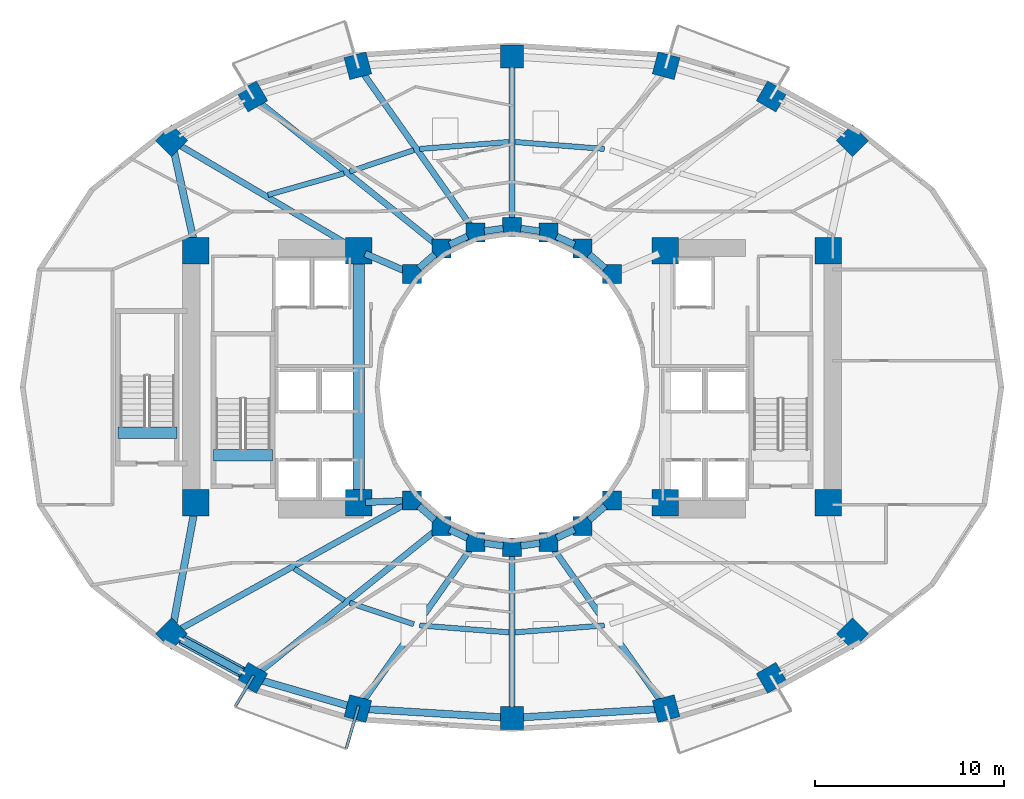
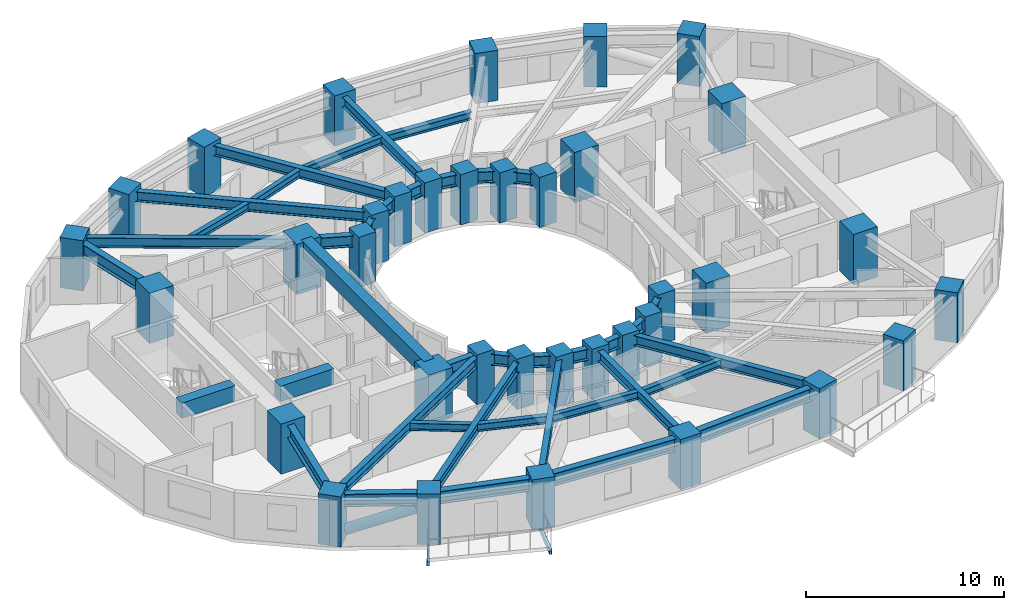
# One storey, part 1 of 11: 42 beams, 36 columns, 1 member.
"""IFC4 building model written with IfcOpenShell, lengths in metres."""

from ifc_helpers import new_model, si_unit, direction, frame, origin, origin_2d, place, context, subcontext, project, spatial, rectangle, hollow_rectangle, hollow_circle, i_section, extrude, material, material_profile, profile_set, type_object, element, save


model = new_model("IFC4")

# Units and contexts
model_context = context("Model", 3, precision=1e-05, world=origin(), true_north=direction((0.0, 1.0)))
body_context = subcontext(model_context, "Body", "Model", "MODEL_VIEW")
ifc_project = project(units=[si_unit("LENGTHUNIT", "METRE"), si_unit("AREAUNIT", "SQUARE_METRE"), si_unit("VOLUMEUNIT", "CUBIC_METRE"), si_unit("PLANEANGLEUNIT", "RADIAN"), si_unit("MASSUNIT", "GRAM", prefix="KILO")], contexts=[model_context])

# Site, building, storey
site_placement = place(None, origin())
site = spatial("IfcSite", under=ifc_project, at=site_placement, CompositionType="ELEMENT")
building_placement = place(site_placement, origin())
building = spatial("IfcBuilding", under=site, at=building_placement, Name="Solvane Sanctuary Tower", CompositionType="ELEMENT")
storey_placement = place(building_placement, frame((0.0, 0.0, 49.300048828125)))
storey = spatial("IfcBuildingStorey", under=building, at=storey_placement, Name="L14", CompositionType="ELEMENT", Elevation=49.300048828125)

# Columns
ifc_material_1 = material(Name="Concrete C70/85", Category="concrete")
ifc_material_profile_1 = material_profile(ifc_material_1, rectangle(XDim=1.39990234375, YDim=1.39990234375, at=origin_2d()), Name="RC1400X1400")
ifc_profile_set_1 = profile_set([ifc_material_profile_1], Name="Concrete C70/85")
column_type_1 = type_object("IfcColumnType", Name="Column C-POD-INT RC1400X1400", PredefinedType="COLUMN", material=ifc_profile_set_1)
for number, where, z_axis, x_axis, name in (
    (1, (15.300048828125, 16.89990234375, 0.0), (0.0, 0.0, 1.0), (1.0, 0.0, 0.0), "L14 Core Corner Column CW1"),
    (2, (23.89990234375, 16.89990234375, 0.0), (0.0, 0.0, 1.0), (1.0, 0.0, 0.0), "L14 Core Corner Column CW2"),
    (3, (23.89990234375, 30.199951171875, 0.0), (0.0, 0.0, 1.0), (1.0, 0.0, 0.0), "L14 Core Corner Column CW3"),
    (4, (15.300048828125, 30.199951171875, 0.0), (0.0, 0.0, 1.0), (1.0, 0.0, 0.0), "L14 Core Corner Column CW4"),
    (5, (40.10009765625, 16.89990234375, 0.0), (0.0, 0.0, 1.0), (1.0, 0.0, 0.0), "L14 Core Corner Column CE1"),
    (6, (48.699951171875, 16.89990234375, 0.0), (0.0, 0.0, 1.0), (1.0, 0.0, 0.0), "L14 Core Corner Column CE2"),
    (7, (48.699951171875, 30.199951171875, 0.0), (0.0, 0.0, 1.0), (1.0, 0.0, 0.0), "L14 Core Corner Column CE3"),
    (8, (40.10009765625, 30.199951171875, 0.0), (0.0, 0.0, 1.0), (1.0, 0.0, 0.0), "L14 Core Corner Column CE4"),
):
    element("IfcColumn", number, at=place(storey_placement, frame(where, z_axis=z_axis, x_axis=x_axis)), inside=storey, type_object=column_type_1, Name=name, PredefinedType="COLUMN", context=body_context, shape_type="SweptSolid", body=[
        extrude(rectangle(XDim=1.39990234375, YDim=1.39990234375, at=origin_2d()), origin(), (0.0, 0.0, 1.0), 3.099853515625),
    ])
ifc_material_profile_2 = material_profile(ifc_material_1, rectangle(XDim=1.0, YDim=1.0, at=origin_2d()), Name="RC1000X1000")
ifc_profile_set_2 = profile_set([ifc_material_profile_2], Name="Concrete C70/85")
column_type_2 = type_object("IfcColumnType", Name="Column C-RING-Z1 RC1000X1000", PredefinedType="COLUMN", material=ifc_profile_set_2)
for number, where, z_axis, x_axis, name in (
    (9, (37.27490234375, 28.982177734375, 0.0), (0.0, 0.0, 1.0), (1.0, 0.0, 0.0), "L14 Inner Light-Well Ring Column IC01"),
    (10, (35.72998046875, 30.32666015625, 0.0), (0.0, 0.0, 1.0), (1.0, 0.0, 0.0), "L14 Inner Light-Well Ring Column IC02"),
    (11, (33.930908203125, 31.171630859375, 0.0), (0.0, 0.0, 1.0), (1.0, 0.0, 0.0), "L14 Inner Light-Well Ring Column IC03"),
    (12, (32.0, 31.4599609375, 0.0), (0.0, 0.0, 1.0), (1.0, 0.0, 0.0), "L14 Inner Light-Well Ring Column IC04"),
    (13, (30.069091796875, 31.171630859375, 0.0), (0.0, 0.0, 1.0), (1.0, 0.0, 0.0), "L14 Inner Light-Well Ring Column IC05"),
    (14, (28.27001953125, 30.32666015625, 0.0), (0.0, 0.0, 1.0), (1.0, 0.0, 0.0), "L14 Inner Light-Well Ring Column IC06"),
    (15, (26.72509765625, 28.982177734375, 0.0), (0.0, 0.0, 1.0), (1.0, 0.0, 0.0), "L14 Inner Light-Well Ring Column IC07"),
    (16, (26.72509765625, 17.017822265625, 0.0), (0.0, 0.0, 1.0), (1.0, 0.0, 0.0), "L14 Inner Light-Well Ring Column IC08"),
    (17, (28.27001953125, 15.67333984375, 0.0), (0.0, 0.0, 1.0), (1.0, 0.0, 0.0), "L14 Inner Light-Well Ring Column IC09"),
    (18, (30.069091796875, 14.828369140625, 0.0), (0.0, 0.0, 1.0), (1.0, 0.0, 0.0), "L14 Inner Light-Well Ring Column IC10"),
    (19, (32.0, 14.5400390625, 0.0), (0.0, 0.0, 1.0), (1.0, 0.0, 0.0), "L14 Inner Light-Well Ring Column IC11"),
    (20, (33.930908203125, 14.828369140625, 0.0), (0.0, 0.0, 1.0), (1.0, 0.0, 0.0), "L14 Inner Light-Well Ring Column IC12"),
    (21, (35.72998046875, 15.67333984375, 0.0), (0.0, 0.0, 1.0), (1.0, 0.0, 0.0), "L14 Inner Light-Well Ring Column IC13"),
    (22, (37.27490234375, 17.017822265625, 0.0), (0.0, 0.0, 1.0), (1.0, 0.0, 0.0), "L14 Inner Light-Well Ring Column IC14"),
):
    element("IfcColumn", number, at=place(storey_placement, frame(where, z_axis=z_axis, x_axis=x_axis)), inside=storey, type_object=column_type_2, Name=name, PredefinedType="COLUMN", context=body_context, shape_type="SweptSolid", body=[
        extrude(rectangle(XDim=1.0, YDim=1.0, at=origin_2d()), origin(), (0.0, 0.0, 1.0), 3.099853515625),
    ])
ifc_material_profile_3 = material_profile(ifc_material_1, rectangle(XDim=1.199951171875, YDim=1.199951171875, at=origin_2d()), Name="RC1200X1200")
ifc_profile_set_3 = profile_set([ifc_material_profile_3], Name="Concrete C70/85")
column_type_3 = type_object("IfcColumnType", Name="Column C-TUBE-Z1 RC1200X1200", PredefinedType="COLUMN", material=ifc_profile_set_3)
for number, where, z_axis, x_axis, name in (
    (23, (49.99169921875, 36.035400390625, 0.0), (0.0, 0.0, 1.0), (0.707106781187, 0.707106781187, 0.0), "L14 Perimeter Tube Column TC01"),
    (24, (45.727294921875, 38.359375, 0.0), (0.0, 0.0, 1.0), (0.5, 0.866025403784, 0.0), "L14 Perimeter Tube Column TC02"),
    (25, (40.14501953125, 39.985595703125, 0.0), (0.0, 0.0, 1.0), (0.258819045103, 0.965925826289, 0.0), "L14 Perimeter Tube Column TC03"),
    (26, (32.0, 40.47998046875, 0.0), (0.0, 0.0, 1.0), (0.0, 1.0, 0.0), "L14 Perimeter Tube Column TC04"),
    (27, (23.85498046875, 39.985595703125, 0.0), (0.0, 0.0, 1.0), (-0.258819045103, 0.965925826289, 0.0), "L14 Perimeter Tube Column TC05"),
    (28, (18.272705078125, 38.359375, 0.0), (0.0, 0.0, 1.0), (-0.5, 0.866025403784, 0.0), "L14 Perimeter Tube Column TC06"),
    (29, (14.00830078125, 36.035400390625, 0.0), (0.0, 0.0, 1.0), (-0.707106781187, 0.707106781187, 0.0), "L14 Perimeter Tube Column TC07"),
    (30, (14.00830078125, 9.964599609375, 0.0), (0.0, 0.0, 1.0), (-0.707106781187, -0.707106781187, 0.0), "L14 Perimeter Tube Column TC08"),
    (31, (18.272705078125, 7.640625, 0.0), (0.0, 0.0, 1.0), (-0.5, -0.866025403784, 0.0), "L14 Perimeter Tube Column TC09"),
    (32, (23.85498046875, 6.014404296875, 0.0), (0.0, 0.0, 1.0), (-0.258819045103, -0.965925826289, 0.0), "L14 Perimeter Tube Column TC10"),
    (33, (32.0, 5.52001953125, 0.0), (0.0, 0.0, 1.0), (0.0, -1.0, 0.0), "L14 Perimeter Tube Column TC11"),
    (34, (40.14501953125, 6.014404296875, 0.0), (0.0, 0.0, 1.0), (0.258819045103, -0.965925826289, 0.0), "L14 Perimeter Tube Column TC12"),
    (35, (45.727294921875, 7.640625, 0.0), (0.0, 0.0, 1.0), (0.5, -0.866025403784, 0.0), "L14 Perimeter Tube Column TC13"),
    (36, (49.99169921875, 9.964599609375, 0.0), (0.0, 0.0, 1.0), (0.707106781187, -0.707106781187, 0.0), "L14 Perimeter Tube Column TC14"),
):
    element("IfcColumn", number, at=place(storey_placement, frame(where, z_axis=z_axis, x_axis=x_axis)), inside=storey, type_object=column_type_3, Name=name, PredefinedType="COLUMN", context=body_context, shape_type="SweptSolid", body=[
        extrude(rectangle(XDim=1.199951171875, YDim=1.199951171875, at=origin_2d()), origin(), (0.0, 0.0, 1.0), 3.099853515625),
    ])

# Beams
ifc_material_2 = material(Name="Steel ASTM A500 Grade C", Category="steel")
ifc_material_profile_4 = material_profile(ifc_material_2, hollow_rectangle(XDim=0.14990234375, YDim=0.300048828125, WallThickness=0.010009765625, at=origin_2d()), Name="HSS300X150X10")
ifc_profile_set_4 = profile_set([ifc_material_profile_4], Name="Steel ASTM A500 Grade C")
beam_type_1 = type_object("IfcBeamType", Name="Beam B-BALC-BRK HSS300X150X10", PredefinedType="BEAM", material=ifc_profile_set_4)
beam_1_placement = place(storey_placement, frame((18.349853515625, 7.769287109375, -0.3720703125), z_axis=(-0.513795095213, -0.857912932724, 0.0), x_axis=(0.857912932724, -0.513795095213, 0.0)))
element("IfcBeam", 37, at=beam_1_placement, inside=storey, type_object=beam_type_1, Name="L14 Balcony Bracket S1-1", PredefinedType="BEAM", context=body_context, shape_type="SweptSolid", body=[
    extrude(hollow_rectangle(XDim=0.14990234375, YDim=0.300048828125, WallThickness=0.010009765625, at=origin_2d()), origin(), (0.0, 0.0, 1.0), 1.896484375),
])
beam_2_placement = place(storey_placement, frame((23.896728515625, 6.15869140625, -0.3720703125), z_axis=(-0.277479359198, -0.960731598949, 0.0), x_axis=(0.960731598949, -0.277479359198, 0.0)))
element("IfcBeam", 38, at=beam_2_placement, inside=storey, type_object=beam_type_1, Name="L14 Balcony Bracket S1-2", PredefinedType="BEAM", context=body_context, shape_type="SweptSolid", body=[
    extrude(hollow_rectangle(XDim=0.14990234375, YDim=0.300048828125, WallThickness=0.010009765625, at=origin_2d()), origin(), (0.0, 0.0, 1.0), 2.325439453125),
])
ifc_material_profile_5 = material_profile(ifc_material_1, rectangle(XDim=0.60009765625, YDim=0.949951171875, at=origin_2d()), Name="RC600X950")
ifc_profile_set_5 = profile_set([ifc_material_profile_5], Name="Concrete C70/85")
beam_type_2 = type_object("IfcBeamType", Name="Beam B-COUPLE RC600X950", PredefinedType="LINTEL", material=ifc_profile_set_5)
beam_3_placement = place(storey_placement, frame((23.89990234375, 17.35009765625, 2.625), z_axis=(0.0, 1.0, 0.0), x_axis=(-1.0, 0.0, 0.0)))
element("IfcBeam", 39, at=beam_3_placement, inside=storey, type_object=beam_type_2, Name="L14 West Core Coupling Lintel", PredefinedType="LINTEL", context=body_context, shape_type="SweptSolid", body=[
    extrude(rectangle(XDim=0.60009765625, YDim=0.949951171875, at=origin_2d()), origin(), (0.0, 0.0, 1.0), 12.39990234375),
])
for number, where, z_axis, x_axis, name in (
    (40, (16.22998046875, 19.399169921875, 2.625), (1.0, 0.0, 0.0), (0.0, 1.0, 0.0), "L14 ST-1 Stair Floor Landing Trimmer"),
    (41, (11.169921875, 20.59912109375, 2.625), (1.0, 0.0, 0.0), (0.0, 1.0, 0.0), "L14 ST-3 Stair Floor Landing Trimmer"),
):
    element("IfcBeam", number, at=place(storey_placement, frame(where, z_axis=z_axis, x_axis=x_axis)), inside=storey, type_object=beam_type_2, Name=name, PredefinedType="LINTEL", context=body_context, shape_type="SweptSolid", body=[
        extrude(rectangle(XDim=0.60009765625, YDim=0.949951171875, at=origin_2d()), origin(), (0.0, 0.0, 1.0), 3.1201171875),
    ])
ifc_material_3 = material(Name="Steel ASTM A992 Grade 50", Category="steel")
ifc_material_profile_6 = material_profile(ifc_material_3, i_section(OverallWidth=0.323974609375, OverallDepth=0.611083984375, WebThickness=0.0126953125, FlangeThickness=0.01904296875, FilletRadius=0.01611328125, at=origin_2d()), Name="W24X104")
ifc_profile_set_6 = profile_set([ifc_material_profile_6], Name="Steel ASTM A992 Grade 50")
beam_type_3 = type_object("IfcBeamType", Name="Beam B-RAD-Z1 W24X104", PredefinedType="BEAM", material=ifc_profile_set_6)
beam_4_placement = place(storey_placement, frame((32.0, 31.739990234375, 2.572509765625), z_axis=(0.0, 1.0, 0.0), x_axis=(-1.0, 0.0, 0.0)))
element("IfcBeam", 42, at=beam_4_placement, inside=storey, type_object=beam_type_3, Name="L14 Radial Composite Floor Beam 04", PredefinedType="BEAM", context=body_context, shape_type="SweptSolid", body=[
    extrude(i_section(OverallWidth=0.323974609375, OverallDepth=0.611083984375, WebThickness=0.0126953125, FlangeThickness=0.01904296875, FilletRadius=0.01611328125, at=origin_2d()), origin(), (0.0, 0.0, 1.0), 8.4599609375),
])
beam_5_placement = place(storey_placement, frame((29.907958984375, 31.400390625, 2.572509765625), z_axis=(-0.576233115666, 0.817285382476, 0.0), x_axis=(-0.817285382476, -0.576233115666, 0.0)))
element("IfcBeam", 43, at=beam_5_placement, inside=storey, type_object=beam_type_3, Name="L14 Radial Composite Floor Beam 05", PredefinedType="BEAM", context=body_context, shape_type="SweptSolid", body=[
    extrude(i_section(OverallWidth=0.323974609375, OverallDepth=0.611083984375, WebThickness=0.0126953125, FlangeThickness=0.01904296875, FilletRadius=0.01611328125, at=origin_2d()), origin(), (0.0, 0.0, 1.0), 10.224365234375),
])
beam_6_placement = place(storey_placement, frame((28.0517578125, 30.501953125, 2.572509765625), z_axis=(-0.779526985436, 0.626368644631, 0.0), x_axis=(-0.626368644631, -0.779526985436, 0.0)))
element("IfcBeam", 44, at=beam_6_placement, inside=storey, type_object=beam_type_3, Name="L14 Radial Composite Floor Beam 06", PredefinedType="BEAM", context=body_context, shape_type="SweptSolid", body=[
    extrude(i_section(OverallWidth=0.323974609375, OverallDepth=0.611083984375, WebThickness=0.0126953125, FlangeThickness=0.01904296875, FilletRadius=0.01611328125, at=origin_2d()), origin(), (0.0, 0.0, 1.0), 12.2646484375),
])
beam_7_placement = place(storey_placement, frame((23.58984375, 30.3828125, 2.572509765625), z_axis=(-0.861291129905, 0.508111788435, 0.0), x_axis=(-0.508111788435, -0.861291129905, 0.0)))
element("IfcBeam", 45, at=beam_7_placement, inside=storey, type_object=beam_type_3, Name="L14 Radial Composite Floor Beam 07", PredefinedType="BEAM", context=body_context, shape_type="SweptSolid", body=[
    extrude(i_section(OverallWidth=0.323974609375, OverallDepth=0.611083984375, WebThickness=0.0126953125, FlangeThickness=0.01904296875, FilletRadius=0.01611328125, at=origin_2d()), origin(), (0.0, 0.0, 1.0), 10.844482421875),
])
beam_8_placement = place(storey_placement, frame((26.47998046875, 16.882080078125, 2.572509765625), z_axis=(-0.87449641157, -0.485031984668, 0.0), x_axis=(0.485031984668, -0.87449641157, 0.0)))
element("IfcBeam", 46, at=beam_8_placement, inside=storey, type_object=beam_type_3, Name="L14 Radial Composite Floor Beam 08", PredefinedType="BEAM", context=body_context, shape_type="SweptSolid", body=[
    extrude(i_section(OverallWidth=0.323974609375, OverallDepth=0.611083984375, WebThickness=0.0126953125, FlangeThickness=0.01904296875, FilletRadius=0.01611328125, at=origin_2d()), origin(), (0.0, 0.0, 1.0), 13.9814453125),
])
beam_9_placement = place(storey_placement, frame((28.0517578125, 15.498046875, 2.572509765625), z_axis=(-0.779526985436, -0.626368644631, 0.0), x_axis=(0.626368644631, -0.779526985436, 0.0)))
element("IfcBeam", 47, at=beam_9_placement, inside=storey, type_object=beam_type_3, Name="L14 Radial Composite Floor Beam 09", PredefinedType="BEAM", context=body_context, shape_type="SweptSolid", body=[
    extrude(i_section(OverallWidth=0.323974609375, OverallDepth=0.611083984375, WebThickness=0.0126953125, FlangeThickness=0.01904296875, FilletRadius=0.01611328125, at=origin_2d()), origin(), (0.0, 0.0, 1.0), 12.2646484375),
])
beam_10_placement = place(storey_placement, frame((29.907958984375, 14.599609375, 2.572509765625), z_axis=(-0.576233115666, -0.817285382476, 0.0), x_axis=(0.817285382476, -0.576233115666, 0.0)))
element("IfcBeam", 48, at=beam_10_placement, inside=storey, type_object=beam_type_3, Name="L14 Radial Composite Floor Beam 10", PredefinedType="BEAM", context=body_context, shape_type="SweptSolid", body=[
    extrude(i_section(OverallWidth=0.323974609375, OverallDepth=0.611083984375, WebThickness=0.0126953125, FlangeThickness=0.01904296875, FilletRadius=0.01611328125, at=origin_2d()), origin(), (0.0, 0.0, 1.0), 10.224365234375),
])
beam_11_placement = place(storey_placement, frame((32.0, 14.260009765625, 2.572509765625), z_axis=(0.0, -1.0, 0.0), x_axis=(1.0, 0.0, 0.0)))
element("IfcBeam", 49, at=beam_11_placement, inside=storey, type_object=beam_type_3, Name="L14 Radial Composite Floor Beam 11", PredefinedType="BEAM", context=body_context, shape_type="SweptSolid", body=[
    extrude(i_section(OverallWidth=0.323974609375, OverallDepth=0.611083984375, WebThickness=0.0126953125, FlangeThickness=0.01904296875, FilletRadius=0.01611328125, at=origin_2d()), origin(), (0.0, 0.0, 1.0), 8.4599609375),
])
beam_12_placement = place(storey_placement, frame((34.092041015625, 14.599609375, 2.572509765625), z_axis=(0.576233115666, -0.817285382476, 0.0), x_axis=(0.817285382476, 0.576233115666, 0.0)))
element("IfcBeam", 50, at=beam_12_placement, inside=storey, type_object=beam_type_3, Name="L14 Radial Composite Floor Beam 12", PredefinedType="BEAM", context=body_context, shape_type="SweptSolid", body=[
    extrude(i_section(OverallWidth=0.323974609375, OverallDepth=0.611083984375, WebThickness=0.0126953125, FlangeThickness=0.01904296875, FilletRadius=0.01611328125, at=origin_2d()), origin(), (0.0, 0.0, 1.0), 10.224365234375),
])
ifc_material_profile_7 = material_profile(ifc_material_3, i_section(OverallWidth=0.35498046875, OverallDepth=0.695068359375, WebThickness=0.015380859375, FlangeThickness=0.02490234375, FilletRadius=0.01806640625, at=origin_2d()), Name="W27X146")
ifc_profile_set_7 = profile_set([ifc_material_profile_7], Name="Steel ASTM A992 Grade 50")
beam_type_4 = type_object("IfcBeamType", Name="Beam B-RING-IN1 W27X146", PredefinedType="BEAM", material=ifc_profile_set_7)
beam_13_placement = place(storey_placement, frame((24.230712890625, 30.0576171875, 2.530517578125), z_axis=(0.918277080365, -0.395938383687, 0.0), x_axis=(0.395938383687, 0.918277080365, 0.0)))
element("IfcBeam", 51, at=beam_13_placement, inside=storey, type_object=beam_type_4, Name="L14 Inner Light-Well Ring Beam CW3-IC07", PredefinedType="BEAM", context=body_context, shape_type="SweptSolid", body=[
    extrude(i_section(OverallWidth=0.35498046875, OverallDepth=0.695068359375, WebThickness=0.015380859375, FlangeThickness=0.02490234375, FilletRadius=0.01806640625, at=origin_2d()), origin(), (0.0, 0.0, 1.0), 2.246337890625),
])
beam_14_placement = place(storey_placement, frame((27.07958984375, 29.29052734375, 2.530517578125), z_axis=(0.754320881993, 0.65650590781, 0.0), x_axis=(-0.65650590781, 0.754320881993, 0.0)))
element("IfcBeam", 52, at=beam_14_placement, inside=storey, type_object=beam_type_4, Name="L14 Inner Light-Well Ring Beam IC07-IC06", PredefinedType="BEAM", context=body_context, shape_type="SweptSolid", body=[
    extrude(i_section(OverallWidth=0.35498046875, OverallDepth=0.695068359375, WebThickness=0.015380859375, FlangeThickness=0.02490234375, FilletRadius=0.01806640625, at=origin_2d()), origin(), (0.0, 0.0, 1.0), 1.108154296875),
])
beam_15_placement = place(storey_placement, frame((28.6953125, 30.5263671875, 2.530517578125), z_axis=(0.905108885866, 0.42517984986, 0.0), x_axis=(-0.42517984986, 0.905108885866, 0.0)))
element("IfcBeam", 53, at=beam_15_placement, inside=storey, type_object=beam_type_4, Name="L14 Inner Light-Well Ring Beam IC06-IC05", PredefinedType="BEAM", context=body_context, shape_type="SweptSolid", body=[
    extrude(i_section(OverallWidth=0.35498046875, OverallDepth=0.695068359375, WebThickness=0.015380859375, FlangeThickness=0.02490234375, FilletRadius=0.01806640625, at=origin_2d()), origin(), (0.0, 0.0, 1.0), 1.0478515625),
])
for number, where, z_axis, x_axis, name in (
    (54, (30.533935546875, 31.2412109375, 2.530517578125), (0.989047520133, 0.147597435338, 0.0), (-0.147597435338, 0.989047520133, 0.0), "L14 Inner Light-Well Ring Beam IC05-IC04"),
    (55, (32.46484375, 31.390625, 2.530517578125), (0.989047520133, -0.147597435338, 0.0), (0.147597435338, 0.989047520133, 0.0), "L14 Inner Light-Well Ring Beam IC04-IC03"),
):
    element("IfcBeam", number, at=place(storey_placement, frame(where, z_axis=z_axis, x_axis=x_axis)), inside=storey, type_object=beam_type_4, Name=name, PredefinedType="BEAM", context=body_context, shape_type="SweptSolid", body=[
        extrude(i_section(OverallWidth=0.35498046875, OverallDepth=0.695068359375, WebThickness=0.015380859375, FlangeThickness=0.02490234375, FilletRadius=0.01806640625, at=origin_2d()), origin(), (0.0, 0.0, 1.0), 1.01220703125),
    ])
beam_16_placement = place(storey_placement, frame((34.356201171875, 30.971923828125, 2.530517578125), z_axis=(0.905108885866, -0.42517984986, 0.0), x_axis=(0.42517984986, 0.905108885866, 0.0)))
element("IfcBeam", 56, at=beam_16_placement, inside=storey, type_object=beam_type_4, Name="L14 Inner Light-Well Ring Beam IC03-IC02", PredefinedType="BEAM", context=body_context, shape_type="SweptSolid", body=[
    extrude(i_section(OverallWidth=0.35498046875, OverallDepth=0.695068359375, WebThickness=0.015380859375, FlangeThickness=0.02490234375, FilletRadius=0.01806640625, at=origin_2d()), origin(), (0.0, 0.0, 1.0), 1.0478515625),
])
beam_17_placement = place(storey_placement, frame((36.08447265625, 30.01806640625, 2.530517578125), z_axis=(0.754320881993, -0.65650590781, 0.0), x_axis=(0.65650590781, 0.754320881993, 0.0)))
element("IfcBeam", 57, at=beam_17_placement, inside=storey, type_object=beam_type_4, Name="L14 Inner Light-Well Ring Beam IC02-IC01", PredefinedType="BEAM", context=body_context, shape_type="SweptSolid", body=[
    extrude(i_section(OverallWidth=0.35498046875, OverallDepth=0.695068359375, WebThickness=0.015380859375, FlangeThickness=0.02490234375, FilletRadius=0.01806640625, at=origin_2d()), origin(), (0.0, 0.0, 1.0), 1.108154296875),
])
beam_18_placement = place(storey_placement, frame((24.259765625, 16.9150390625, 2.530517578125), z_axis=(0.999130953379, 0.041681386726, 0.0), x_axis=(-0.041681386726, 0.999130953379, 0.0)))
element("IfcBeam", 58, at=beam_18_placement, inside=storey, type_object=beam_type_4, Name="L14 Inner Light-Well Ring Beam CW2-IC08", PredefinedType="BEAM", context=body_context, shape_type="SweptSolid", body=[
    extrude(i_section(OverallWidth=0.35498046875, OverallDepth=0.695068359375, WebThickness=0.015380859375, FlangeThickness=0.02490234375, FilletRadius=0.01806640625, at=origin_2d()), origin(), (0.0, 0.0, 1.0), 1.997314453125),
])
beam_19_placement = place(storey_placement, frame((27.07958984375, 16.70947265625, 2.530517578125), z_axis=(0.754320881993, -0.65650590781, 0.0), x_axis=(0.65650590781, 0.754320881993, 0.0)))
element("IfcBeam", 59, at=beam_19_placement, inside=storey, type_object=beam_type_4, Name="L14 Inner Light-Well Ring Beam IC08-IC09", PredefinedType="BEAM", context=body_context, shape_type="SweptSolid", body=[
    extrude(i_section(OverallWidth=0.35498046875, OverallDepth=0.695068359375, WebThickness=0.015380859375, FlangeThickness=0.02490234375, FilletRadius=0.01806640625, at=origin_2d()), origin(), (0.0, 0.0, 1.0), 1.108154296875),
])
beam_20_placement = place(storey_placement, frame((28.6953125, 15.4736328125, 2.530517578125), z_axis=(0.905108885866, -0.42517984986, 0.0), x_axis=(0.42517984986, 0.905108885866, 0.0)))
element("IfcBeam", 60, at=beam_20_placement, inside=storey, type_object=beam_type_4, Name="L14 Inner Light-Well Ring Beam IC09-IC10", PredefinedType="BEAM", context=body_context, shape_type="SweptSolid", body=[
    extrude(i_section(OverallWidth=0.35498046875, OverallDepth=0.695068359375, WebThickness=0.015380859375, FlangeThickness=0.02490234375, FilletRadius=0.01806640625, at=origin_2d()), origin(), (0.0, 0.0, 1.0), 1.0478515625),
])
for number, where, z_axis, x_axis, name in (
    (61, (30.533935546875, 14.7587890625, 2.530517578125), (0.989047520133, -0.147597435338, 0.0), (0.147597435338, 0.989047520133, 0.0), "L14 Inner Light-Well Ring Beam IC10-IC11"),
    (62, (32.46484375, 14.609375, 2.530517578125), (0.989047520133, 0.147597435338, 0.0), (-0.147597435338, 0.989047520133, 0.0), "L14 Inner Light-Well Ring Beam IC11-IC12"),
):
    element("IfcBeam", number, at=place(storey_placement, frame(where, z_axis=z_axis, x_axis=x_axis)), inside=storey, type_object=beam_type_4, Name=name, PredefinedType="BEAM", context=body_context, shape_type="SweptSolid", body=[
        extrude(i_section(OverallWidth=0.35498046875, OverallDepth=0.695068359375, WebThickness=0.015380859375, FlangeThickness=0.02490234375, FilletRadius=0.01806640625, at=origin_2d()), origin(), (0.0, 0.0, 1.0), 1.01220703125),
    ])
beam_21_placement = place(storey_placement, frame((34.356201171875, 15.028076171875, 2.530517578125), z_axis=(0.905108885866, 0.42517984986, 0.0), x_axis=(-0.42517984986, 0.905108885866, 0.0)))
element("IfcBeam", 63, at=beam_21_placement, inside=storey, type_object=beam_type_4, Name="L14 Inner Light-Well Ring Beam IC12-IC13", PredefinedType="BEAM", context=body_context, shape_type="SweptSolid", body=[
    extrude(i_section(OverallWidth=0.35498046875, OverallDepth=0.695068359375, WebThickness=0.015380859375, FlangeThickness=0.02490234375, FilletRadius=0.01806640625, at=origin_2d()), origin(), (0.0, 0.0, 1.0), 1.0478515625),
])
beam_22_placement = place(storey_placement, frame((36.08447265625, 15.98193359375, 2.530517578125), z_axis=(0.754320881993, 0.65650590781, 0.0), x_axis=(-0.65650590781, 0.754320881993, 0.0)))
element("IfcBeam", 64, at=beam_22_placement, inside=storey, type_object=beam_type_4, Name="L14 Inner Light-Well Ring Beam IC13-IC14", PredefinedType="BEAM", context=body_context, shape_type="SweptSolid", body=[
    extrude(i_section(OverallWidth=0.35498046875, OverallDepth=0.695068359375, WebThickness=0.015380859375, FlangeThickness=0.02490234375, FilletRadius=0.01806640625, at=origin_2d()), origin(), (0.0, 0.0, 1.0), 1.108154296875),
])
ifc_material_profile_8 = material_profile(ifc_material_3, i_section(OverallWidth=0.280029296875, OverallDepth=0.462890625, WebThickness=0.0107421875, FlangeThickness=0.017333984375, FilletRadius=0.013916015625, at=origin_2d()), Name="W18X76")
ifc_profile_set_8 = profile_set([ifc_material_profile_8], Name="Steel ASTM A992 Grade 50")
beam_type_5 = type_object("IfcBeamType", Name="Beam B-SEC-JOIST W18X76", PredefinedType="JOIST", material=ifc_profile_set_8)
beam_23_placement = place(storey_placement, frame((19.10498046875, 33.160400390625, 2.646484375), z_axis=(0.962003645121, 0.273036603358, 0.0), x_axis=(-0.273036603358, 0.962003645121, 0.0)))
element("IfcBeam", 65, at=beam_23_placement, inside=storey, type_object=beam_type_5, Name="L14 Secondary Circumferential Joist 07-06", PredefinedType="JOIST", context=body_context, shape_type="SweptSolid", body=[
    extrude(i_section(OverallWidth=0.280029296875, OverallDepth=0.462890625, WebThickness=0.0107421875, FlangeThickness=0.017333984375, FilletRadius=0.013916015625, at=origin_2d()), origin(), (0.0, 0.0, 1.0), 4.174072265625),
])
beam_24_placement = place(storey_placement, frame((23.42041015625, 34.392822265625, 2.646484375), z_axis=(0.948259393162, 0.317496650816, 0.0), x_axis=(-0.317496650816, 0.948259393162, 0.0)))
element("IfcBeam", 66, at=beam_24_placement, inside=storey, type_object=beam_type_5, Name="L14 Secondary Circumferential Joist 06-05", PredefinedType="JOIST", context=body_context, shape_type="SweptSolid", body=[
    extrude(i_section(OverallWidth=0.280029296875, OverallDepth=0.462890625, WebThickness=0.0107421875, FlangeThickness=0.017333984375, FilletRadius=0.013916015625, at=origin_2d()), origin(), (0.0, 0.0, 1.0), 3.577880859375),
])
for number, where, z_axis, x_axis, name in (
    (67, (27.11865234375, 35.5908203125, 2.646484375), (0.996997851194, 0.077429223911, 0.0), (-0.077429223911, 0.996997851194, 0.0), "L14 Secondary Circumferential Joist 05-04"),
    (68, (32.156494140625, 35.957763671875, 2.646484375), (0.996997851194, -0.077429223911, 0.0), (0.077429223911, 0.996997851194, 0.0), "L14 Secondary Circumferential Joist 04-03"),
):
    element("IfcBeam", number, at=place(storey_placement, frame(where, z_axis=z_axis, x_axis=x_axis)), inside=storey, type_object=beam_type_5, Name=name, PredefinedType="JOIST", context=body_context, shape_type="SweptSolid", body=[
        extrude(i_section(OverallWidth=0.280029296875, OverallDepth=0.462890625, WebThickness=0.0107421875, FlangeThickness=0.017333984375, FilletRadius=0.013916015625, at=origin_2d()), origin(), (0.0, 0.0, 1.0), 4.739013671875),
    ])
beam_25_placement = place(storey_placement, frame((20.499267578125, 13.407470703125, 2.646484375), z_axis=(0.845524211665, -0.533937081957, 0.0), x_axis=(0.533937081957, 0.845524211665, 0.0)))
element("IfcBeam", 69, at=beam_25_placement, inside=storey, type_object=beam_type_5, Name="L14 Secondary Circumferential Joist 08-09", PredefinedType="JOIST", context=body_context, shape_type="SweptSolid", body=[
    extrude(i_section(OverallWidth=0.280029296875, OverallDepth=0.462890625, WebThickness=0.0107421875, FlangeThickness=0.017333984375, FilletRadius=0.013916015625, at=origin_2d()), origin(), (0.0, 0.0, 1.0), 3.12158203125),
])
beam_26_placement = place(storey_placement, frame((23.42041015625, 11.607177734375, 2.646484375), z_axis=(0.948259393162, -0.317496650816, 0.0), x_axis=(0.317496650816, 0.948259393162, 0.0)))
element("IfcBeam", 70, at=beam_26_placement, inside=storey, type_object=beam_type_5, Name="L14 Secondary Circumferential Joist 09-10", PredefinedType="JOIST", context=body_context, shape_type="SweptSolid", body=[
    extrude(i_section(OverallWidth=0.280029296875, OverallDepth=0.462890625, WebThickness=0.0107421875, FlangeThickness=0.017333984375, FilletRadius=0.013916015625, at=origin_2d()), origin(), (0.0, 0.0, 1.0), 3.577880859375),
])
for number, where, z_axis, x_axis, name in (
    (71, (27.11865234375, 10.4091796875, 2.646484375), (0.996997851194, -0.077429223911, 0.0), (0.077429223911, 0.996997851194, 0.0), "L14 Secondary Circumferential Joist 10-11"),
    (72, (32.156494140625, 10.042236328125, 2.646484375), (0.996997851194, 0.077429223911, 0.0), (-0.077429223911, 0.996997851194, 0.0), "L14 Secondary Circumferential Joist 11-12"),
):
    element("IfcBeam", number, at=place(storey_placement, frame(where, z_axis=z_axis, x_axis=x_axis)), inside=storey, type_object=beam_type_5, Name=name, PredefinedType="JOIST", context=body_context, shape_type="SweptSolid", body=[
        extrude(i_section(OverallWidth=0.280029296875, OverallDepth=0.462890625, WebThickness=0.0107421875, FlangeThickness=0.017333984375, FilletRadius=0.013916015625, at=origin_2d()), origin(), (0.0, 0.0, 1.0), 4.739013671875),
    ])
ifc_material_profile_9 = material_profile(ifc_material_3, i_section(OverallWidth=0.382080078125, OverallDepth=0.779052734375, WebThickness=0.01806640625, FlangeThickness=0.030029296875, FilletRadius=0.02001953125, at=origin_2d()), Name="W30X191")
ifc_profile_set_9 = profile_set([ifc_material_profile_9], Name="Steel ASTM A992 Grade 50")
beam_type_6 = type_object("IfcBeamType", Name="Beam B-SPAND-Z1 W30X191", PredefinedType="SPANDREL", material=ifc_profile_set_9)
beam_27_placement = place(storey_placement, frame((15.239501953125, 30.473388671875, 2.488525390625), z_axis=(-0.216123846648, 0.976365957472, 0.0), x_axis=(-0.976365957472, -0.216123846648, 0.0)))
element("IfcBeam", 73, at=beam_27_placement, inside=storey, type_object=beam_type_6, Name="L14 Perimeter Spandrel Beam CW4-TC07", PredefinedType="SPANDREL", context=body_context, shape_type="SweptSolid", body=[
    extrude(i_section(OverallWidth=0.382080078125, OverallDepth=0.779052734375, WebThickness=0.01806640625, FlangeThickness=0.030029296875, FilletRadius=0.02001953125, at=origin_2d()), origin(), (0.0, 0.0, 1.0), 5.41650390625),
])
beam_28_placement = place(storey_placement, frame((15.248779296875, 16.624755859375, 2.488525390625), z_axis=(-0.183108171104, -0.983092771652, 0.0), x_axis=(0.983092771652, -0.183108171104, 0.0)))
element("IfcBeam", 74, at=beam_28_placement, inside=storey, type_object=beam_type_6, Name="L14 Perimeter Spandrel Beam CW1-TC08", PredefinedType="SPANDREL", context=body_context, shape_type="SweptSolid", body=[
    extrude(i_section(OverallWidth=0.382080078125, OverallDepth=0.779052734375, WebThickness=0.01806640625, FlangeThickness=0.030029296875, FilletRadius=0.02001953125, at=origin_2d()), origin(), (0.0, 0.0, 1.0), 6.49462890625),
])
beam_29_placement = place(storey_placement, frame((14.254150390625, 9.830810546875, 2.488525390625), z_axis=(0.878060556078, -0.478549537519, 0.0), x_axis=(0.478549537519, 0.878060556078, 0.0)))
element("IfcBeam", 75, at=beam_29_placement, inside=storey, type_object=beam_type_6, Name="L14 Perimeter Spandrel Beam TC08-TC09", PredefinedType="SPANDREL", context=body_context, shape_type="SweptSolid", body=[
    extrude(i_section(OverallWidth=0.382080078125, OverallDepth=0.779052734375, WebThickness=0.01806640625, FlangeThickness=0.030029296875, FilletRadius=0.02001953125, at=origin_2d()), origin(), (0.0, 0.0, 1.0), 4.296630859375),
])
beam_30_placement = place(storey_placement, frame((18.54150390625, 7.562255859375, 2.488525390625), z_axis=(0.960096217722, -0.279669899553, 0.0), x_axis=(0.279669899553, 0.960096217722, 0.0)))
element("IfcBeam", 76, at=beam_30_placement, inside=storey, type_object=beam_type_6, Name="L14 Perimeter Spandrel Beam TC09-TC10", PredefinedType="SPANDREL", context=body_context, shape_type="SweptSolid", body=[
    extrude(i_section(OverallWidth=0.382080078125, OverallDepth=0.779052734375, WebThickness=0.01806640625, FlangeThickness=0.030029296875, FilletRadius=0.02001953125, at=origin_2d()), origin(), (0.0, 0.0, 1.0), 5.25439453125),
])
for number, where, z_axis, x_axis, name in (
    (77, (24.134521484375, 5.99755859375, 2.488525390625), (0.998162966989, -0.060586230553, 0.0), (0.060586230553, 0.998162966989, 0.0), "L14 Perimeter Spandrel Beam TC10-TC11"),
    (78, (32.279541015625, 5.537109375, 2.488525390625), (0.998162966989, 0.060586230553, 0.0), (-0.060586230553, 0.998162966989, 0.0), "L14 Perimeter Spandrel Beam TC11-TC12"),
):
    element("IfcBeam", number, at=place(storey_placement, frame(where, z_axis=z_axis, x_axis=x_axis)), inside=storey, type_object=beam_type_6, Name=name, PredefinedType="SPANDREL", context=body_context, shape_type="SweptSolid", body=[
        extrude(i_section(OverallWidth=0.382080078125, OverallDepth=0.779052734375, WebThickness=0.01806640625, FlangeThickness=0.030029296875, FilletRadius=0.02001953125, at=origin_2d()), origin(), (0.0, 0.0, 1.0), 7.599853515625),
    ])

# Member
ifc_material_profile_10 = material_profile(ifc_material_3, hollow_circle(Radius=0.304931640625, WallThickness=0.01611328125, at=origin_2d()), Name="CHS610X16")
ifc_profile_set_10 = profile_set([ifc_material_profile_10], Name="Steel ASTM A992 Grade 50")
member_type = type_object("IfcMemberType", Name="Member M-TUBE-Z1 CHS610X16", PredefinedType="BRACE", material=ifc_profile_set_10)
member_placement = place(storey_placement, frame((14.56591796875, 9.660888671875, 0.604736328125), z_axis=(0.827757582726, -0.451121829397, 0.333626256882), x_axis=(0.478539548862, 0.878065999897, 0.0)))
element("IfcMember", 79, at=member_placement, inside=storey, type_object=member_type, Name="L14 Perimeter Braced-Tube Diagonal SW", PredefinedType="BRACE", context=body_context, shape_type="SweptSolid", body=[
    extrude(hollow_circle(Radius=0.304931640625, WallThickness=0.01611328125, at=origin_2d()), origin(), (0.0, 0.0, 1.0), 3.83154296875),
])

save(model, "model.ifc")
